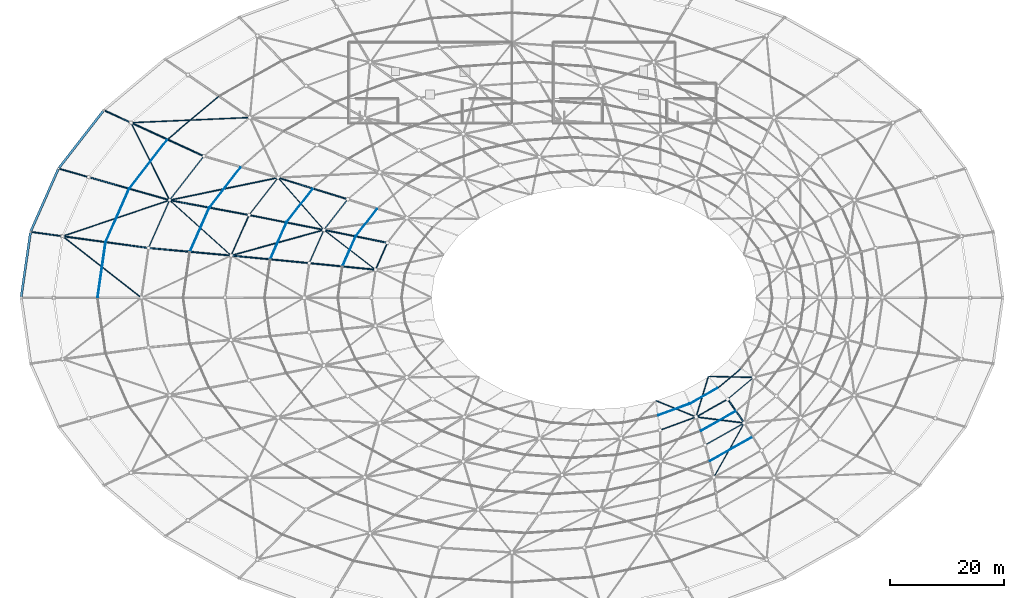
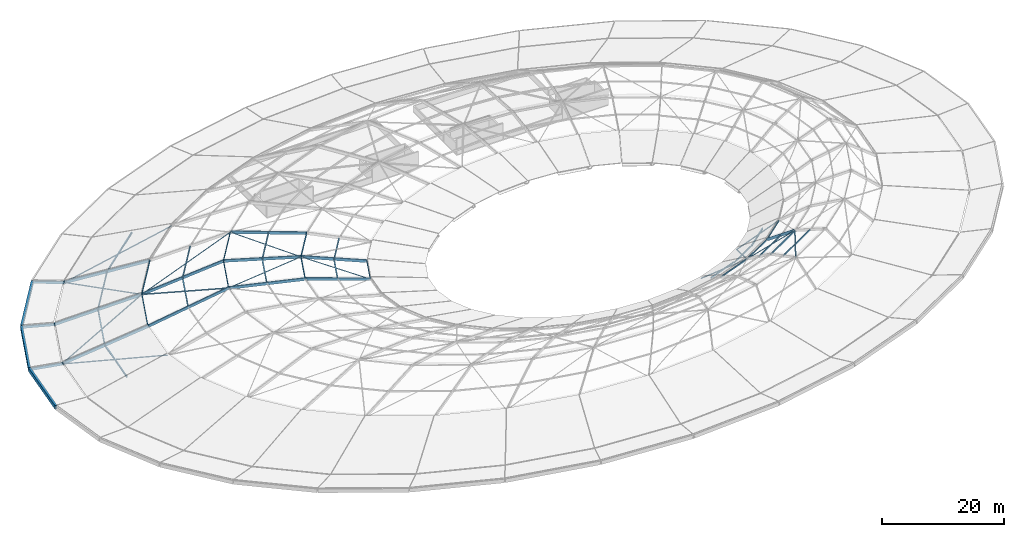
# One storey, part 5 of 30: 54 members, 3 beams.
"""IFC4 building model written with IfcOpenShell, lengths in metres."""

from ifc_helpers import new_model, si_unit, direction, frame, origin, origin_2d, place, context, subcontext, project, spatial, rectangle, hollow_rectangle, hollow_circle, extrude, material, material_profile, profile_set, type_object, element, save


model = new_model("IFC4")

# Units and contexts
model_context = context("Model", 3, precision=1e-05, world=origin(), true_north=direction((0.0, 1.0)))
body_context = subcontext(model_context, "Body", "Model", "MODEL_VIEW")
ifc_project = project(units=[si_unit("LENGTHUNIT", "METRE"), si_unit("AREAUNIT", "SQUARE_METRE"), si_unit("VOLUMEUNIT", "CUBIC_METRE"), si_unit("PLANEANGLEUNIT", "RADIAN"), si_unit("MASSUNIT", "GRAM", prefix="KILO")], contexts=[model_context])

# Site, building, storey
site_placement = place(None, origin())
site = spatial("IfcSite", under=ifc_project, at=site_placement, CompositionType="ELEMENT")
building_placement = place(site_placement, origin())
building = spatial("IfcBuilding", under=site, at=building_placement, Name="Namkhue Oval Health Centre", CompositionType="ELEMENT")
storey_placement = place(building_placement, frame((0.0, 0.0, 26.39990234375)))
storey = spatial("IfcBuildingStorey", under=building, at=storey_placement, Name="RF", CompositionType="ELEMENT", Elevation=26.39990234375)

# Beams
ifc_material_1 = material(Name="Precast architectural concrete C35/45 (TCVN B40)", Category="concrete")
ifc_material_profile_1 = material_profile(ifc_material_1, rectangle(XDim=0.39990234375, YDim=0.75, at=origin_2d()), Name="RC 400x750")
ifc_profile_set_1 = profile_set([ifc_material_profile_1], Name="Precast architectural concrete C35/45 (TCVN B40)")
beam_type = type_object("IfcBeamType", Name="CONCRETE EDGE BAND 400X750", PredefinedType="SPANDREL", material=ifc_profile_set_1)
beam_1_placement = place(storey_placement, frame((14.53662109375, 92.369384765625, 0.7001953125), z_axis=(-0.613799406543, -0.789462024753, 0.0), x_axis=(0.789462024753, -0.613799406543, 0.0)))
element("IfcBeam", 1, at=beam_1_placement, inside=storey, type_object=beam_type, Name="Elliptical Roof Concrete Fascia Band 14", PredefinedType="SPANDREL", context=body_context, shape_type="SweptSolid", body=[
    extrude(rectangle(XDim=0.39990234375, YDim=0.75, at=origin_2d()), origin(), (0.0, 0.0, 1.0), 12.92822265625),
])
beam_2_placement = place(storey_placement, frame((6.560791015625, 82.0947265625, 0.7001953125), z_axis=(-0.403693857048, -0.914894130368, 0.0), x_axis=(0.914894130368, -0.403693857048, 0.0)))
element("IfcBeam", 2, at=beam_2_placement, inside=storey, type_object=beam_type, Name="Elliptical Roof Concrete Fascia Band 15", PredefinedType="SPANDREL", context=body_context, shape_type="SweptSolid", body=[
    extrude(rectangle(XDim=0.39990234375, YDim=0.75, at=origin_2d()), origin(), (0.0, 0.0, 1.0), 12.099609375),
])
beam_3_placement = place(storey_placement, frame((1.654541015625, 70.94873046875, 0.7001953125), z_axis=(-0.141824096409, -0.989891875751, 0.0), x_axis=(0.989891875751, -0.141824096409, 0.0)))
element("IfcBeam", 3, at=beam_3_placement, inside=storey, type_object=beam_type, Name="Elliptical Roof Concrete Fascia Band 16", PredefinedType="SPANDREL", context=body_context, shape_type="SweptSolid", body=[
    extrude(rectangle(XDim=0.39990234375, YDim=0.75, at=origin_2d()), origin(), (0.0, 0.0, 1.0), 11.62646484375),
])

# Members
ifc_material_2 = material(Name="Structural steel EN 10025-2 S355JR (TCVN 5575:2024)", Category="steel")
ifc_material_profile_2 = material_profile(ifc_material_2, hollow_circle(Radius=0.084228515625, WallThickness=0.008056640625, at=origin_2d()), Name="CHS 168.3x8")
ifc_profile_set_2 = profile_set([ifc_material_profile_2], Name="Structural steel EN 10025-2 S355JR (TCVN 5575:2024)")
member_type_1 = type_object("IfcMemberType", Name="DIAGONAL BRACE CHS 168", PredefinedType="BRACE", material=ifc_profile_set_2)
member_1_placement = place(storey_placement, frame((26.162353515625, 76.568115234375, 3.785400390625), z_axis=(0.964612423458, 0.200027706406, 0.171789956575), x_axis=(-0.203046273426, 0.979169143125, 0.0)))
element("IfcMember", 4, at=member_1_placement, inside=storey, type_object=member_type_1, Name="Gridshell Diagonal Brace K2-14", PredefinedType="BRACE", context=body_context, shape_type="SweptSolid", body=[
    extrude(hollow_circle(Radius=0.084228515625, WallThickness=0.008056640625, at=origin_2d()), origin(), (0.0, 0.0, 1.0), 19.72998046875),
])
member_2_placement = place(storey_placement, frame((26.1552734375, 76.542724609375, 3.786865234375), z_axis=(0.723984856612, -0.651314430221, 0.227234329232), x_axis=(0.668810437782, 0.743432981723, 0.0)))
element("IfcMember", 5, at=member_2_placement, inside=storey, type_object=member_type_1, Name="Gridshell Diagonal Brace K2-15", PredefinedType="BRACE", context=body_context, shape_type="SweptSolid", body=[
    extrude(hollow_circle(Radius=0.084228515625, WallThickness=0.008056640625, at=origin_2d()), origin(), (0.0, 0.0, 1.0), 14.903076171875),
])
member_3_placement = place(storey_placement, frame((45.242431640625, 80.498291015625, 7.1748046875), z_axis=(0.649535980414, -0.739421302444, -0.177085142347), x_axis=(0.751295119387, 0.6599663958, 0.0)))
element("IfcMember", 6, at=member_3_placement, inside=storey, type_object=member_type_1, Name="Gridshell Diagonal Brace K3-14", PredefinedType="BRACE", context=body_context, shape_type="SweptSolid", body=[
    extrude(hollow_circle(Radius=0.084228515625, WallThickness=0.008056640625, at=origin_2d()), origin(), (0.0, 0.0, 1.0), 12.36376953125),
])
member_4_placement = place(storey_placement, frame((36.9951171875, 66.824462890625, 7.17626953125), z_axis=(0.955760701137, 0.264448449947, -0.128796348873), x_axis=(-0.266669523158, 0.963788029298, 0.0)))
element("IfcMember", 7, at=member_4_placement, inside=storey, type_object=member_type_1, Name="Gridshell Diagonal Brace K3-15", PredefinedType="BRACE", context=body_context, shape_type="SweptSolid", body=[
    extrude(hollow_circle(Radius=0.084228515625, WallThickness=0.008056640625, at=origin_2d()), origin(), (0.0, 0.0, 1.0), 17.02197265625),
])
member_5_placement = place(storey_placement, frame((121.935302734375, 27.81640625, 7.17431640625), z_axis=(0.479099455616, 0.855393525982, -0.196889886322), x_axis=(-0.872471627702, 0.488664771448, 0.0)))
element("IfcMember", 8, at=member_5_placement, inside=storey, type_object=member_type_1, Name="Gridshell Diagonal Brace K3-28", PredefinedType="BRACE", context=body_context, shape_type="SweptSolid", body=[
    extrude(hollow_circle(Radius=0.084228515625, WallThickness=0.008056640625, at=origin_2d()), origin(), (0.0, 0.0, 1.0), 11.114013671875),
])
member_6_placement = place(storey_placement, frame((53.315673828125, 71.31640625, 4.9716796875), z_axis=(0.759403511791, -0.585378236617, -0.283969410985), x_axis=(0.610510932695, 0.792007828913, 0.0)))
element("IfcMember", 9, at=member_6_placement, inside=storey, type_object=member_type_1, Name="Gridshell Diagonal Brace K4-15", PredefinedType="BRACE", context=body_context, shape_type="SweptSolid", body=[
    extrude(hollow_circle(Radius=0.084228515625, WallThickness=0.008056640625, at=origin_2d()), origin(), (0.0, 0.0, 1.0), 11.91357421875),
])
member_7_placement = place(storey_placement, frame((127.24658203125, 37.352294921875, 4.968994140625), z_axis=(-0.921885222036, 0.115389380497, -0.36988231677), x_axis=(-0.124197649917, -0.992257498714, 0.0)))
element("IfcMember", 10, at=member_7_placement, inside=storey, type_object=member_type_1, Name="Gridshell Diagonal Brace K4-28", PredefinedType="BRACE", context=body_context, shape_type="SweptSolid", body=[
    extrude(hollow_circle(Radius=0.084228515625, WallThickness=0.008056640625, at=origin_2d()), origin(), (0.0, 0.0, 1.0), 9.1318359375),
])
ifc_material_profile_3 = material_profile(ifc_material_2, hollow_circle(Radius=0.109619140625, WallThickness=0.010009765625, at=origin_2d()), Name="CHS 219.1x10")
ifc_profile_set_3 = profile_set([ifc_material_profile_3], Name="Structural steel EN 10025-2 S355JR (TCVN 5575:2024)")
member_type_2 = type_object("IfcMemberType", Name="DIAGONAL BRACE CHS 219", PredefinedType="BRACE", material=ifc_profile_set_3)
member_8_placement = place(storey_placement, frame((19.3798828125, 90.2021484375, 0.284912109375), z_axis=(0.985387796484, 0.042892577935, 0.164836638216), x_axis=(-0.043487447856, 0.999053973456, 0.0)))
element("IfcMember", 11, at=member_8_placement, inside=storey, type_object=member_type_2, Name="Gridshell Diagonal Brace K1-13", PredefinedType="BRACE", context=body_context, shape_type="SweptSolid", body=[
    extrude(hollow_circle(Radius=0.109619140625, WallThickness=0.010009765625, at=origin_2d()), origin(), (0.0, 0.0, 1.0), 21.173828125),
])
member_9_placement = place(storey_placement, frame((19.36328125, 90.174560546875, 0.286865234375), z_axis=(0.434016963234, -0.872628440892, 0.223939455594), x_axis=(0.895368051566, 0.445326904908, 0.0)))
element("IfcMember", 12, at=member_9_placement, inside=storey, type_object=member_type_2, Name="Gridshell Diagonal Brace K1-14", PredefinedType="BRACE", context=body_context, shape_type="SweptSolid", body=[
    extrude(hollow_circle(Radius=0.109619140625, WallThickness=0.010009765625, at=origin_2d()), origin(), (0.0, 0.0, 1.0), 15.5693359375),
])
member_10_placement = place(storey_placement, frame((7.33740234375, 70.22509765625, 0.285400390625), z_axis=(0.933219767394, 0.31463420573, 0.17351133199), x_axis=(-0.319480120843, 0.947592978227, 0.0)))
element("IfcMember", 13, at=member_10_placement, inside=storey, type_object=member_type_2, Name="Gridshell Diagonal Brace K1-15", PredefinedType="BRACE", context=body_context, shape_type="SweptSolid", body=[
    extrude(hollow_circle(Radius=0.109619140625, WallThickness=0.010009765625, at=origin_2d()), origin(), (0.0, 0.0, 1.0), 20.111083984375),
])
member_11_placement = place(storey_placement, frame((7.332763671875, 70.19775390625, 0.285888671875), z_axis=(0.773156638641, -0.603407661928, 0.195263938433), x_axis=(0.615250790527, 0.788331443465, 0.0)))
element("IfcMember", 14, at=member_11_placement, inside=storey, type_object=member_type_2, Name="Gridshell Diagonal Brace K1-16", PredefinedType="BRACE", context=body_context, shape_type="SweptSolid", body=[
    extrude(hollow_circle(Radius=0.109619140625, WallThickness=0.010009765625, at=origin_2d()), origin(), (0.0, 0.0, 1.0), 17.864501953125),
])
member_12_placement = place(storey_placement, frame((118.77490234375, 38.419921875, 1.568603515625), z_axis=(-0.854708255905, 0.347303056392, -0.385816516376), x_axis=(-0.376449454427, -0.926437158291, 0.0)))
element("IfcMember", 15, at=member_12_placement, inside=storey, type_object=member_type_2, Name="Gridshell Diagonal Brace K5-27", PredefinedType="BRACE", context=body_context, shape_type="SweptSolid", body=[
    extrude(hollow_circle(Radius=0.109619140625, WallThickness=0.010009765625, at=origin_2d()), origin(), (0.0, 0.0, 1.0), 8.234375),
])
member_13_placement = place(storey_placement, frame((118.80859375, 38.435791015625, 1.568359375), z_axis=(0.266429177507, 0.879340657814, -0.394684051981), x_axis=(-0.957035788143, 0.289969826385, 0.0)))
element("IfcMember", 16, at=member_13_placement, inside=storey, type_object=member_type_2, Name="Gridshell Diagonal Brace K5-28", PredefinedType="BRACE", context=body_context, shape_type="SweptSolid", body=[
    extrude(hollow_circle(Radius=0.109619140625, WallThickness=0.010009765625, at=origin_2d()), origin(), (0.0, 0.0, 1.0), 8.04833984375),
])
member_14_placement = place(storey_placement, frame((128.90380859375, 45.375244140625, 1.56884765625), z_axis=(-0.927837446062, 0.0191755171, -0.372491574709), x_axis=(-0.020662480658, -0.999786508157, 0.0)))
element("IfcMember", 17, at=member_14_placement, inside=storey, type_object=member_type_2, Name="Gridshell Diagonal Brace K5-29", PredefinedType="BRACE", context=body_context, shape_type="SweptSolid", body=[
    extrude(hollow_circle(Radius=0.109619140625, WallThickness=0.010009765625, at=origin_2d()), origin(), (0.0, 0.0, 1.0), 8.5302734375),
])
ifc_material_3 = material(Name="Glulam timber GL28h", Category="wood")
ifc_material_profile_4 = material_profile(ifc_material_3, rectangle(XDim=0.199951171875, YDim=0.47998046875, at=origin_2d()), Name="GL28h 200x480")
ifc_profile_set_4 = profile_set([ifc_material_profile_4], Name="Glulam timber GL28h")
member_type_3 = type_object("IfcMemberType", Name="GRIDSHELL ARCH RIB GL28H 200X480", PredefinedType="USERDEFINED", material=ifc_profile_set_4)
member_15_placement = place(storey_placement, frame((127.2744140625, 37.348876953125, 5.0), z_axis=(-0.474060569261, 0.684378453769, -0.553978978562), x_axis=(-0.822045950812, -0.569421157628, 0.0)))
element("IfcMember", 18, at=member_15_placement, inside=storey, type_object=member_type_3, Name="Gridshell Glulam Arch Rib K4-29", ObjectType="ARCH_SEGMENT", PredefinedType="USERDEFINED", context=body_context, shape_type="SweptSolid", body=[
    extrude(rectangle(XDim=0.199951171875, YDim=0.47998046875, at=origin_2d()), origin(), (0.0, 0.0, 1.0), 6.13720703125),
])
ifc_material_profile_5 = material_profile(ifc_material_3, rectangle(XDim=0.219970703125, YDim=0.52001953125, at=origin_2d()), Name="GL28h 220x520")
ifc_profile_set_5 = profile_set([ifc_material_profile_5], Name="Glulam timber GL28h")
member_type_4 = type_object("IfcMemberType", Name="GRIDSHELL ARCH RIB GL28H 220X520", PredefinedType="USERDEFINED", material=ifc_profile_set_5)
member_16_placement = place(storey_placement, frame((19.350341796875, 90.200927734375, 0.300048828125), z_axis=(0.881933301609, -0.405143099926, 0.240941320855), x_axis=(0.41744104465, 0.908704008048, 0.0)))
element("IfcMember", 19, at=member_16_placement, inside=storey, type_object=member_type_4, Name="Gridshell Glulam Arch Rib K1-14", ObjectType="ARCH_SEGMENT", PredefinedType="USERDEFINED", context=body_context, shape_type="SweptSolid", body=[
    extrude(rectangle(XDim=0.219970703125, YDim=0.52001953125, at=origin_2d()), origin(), (0.0, 0.0, 1.0), 14.5263671875),
])
member_17_placement = place(storey_placement, frame((45.22314453125, 80.5205078125, 7.2001953125), z_axis=(0.941554073722, -0.291429386457, -0.168952179527), x_axis=(0.295680008512, 0.955287041975, 0.0)))
element("IfcMember", 20, at=member_17_placement, inside=storey, type_object=member_type_4, Name="Gridshell Glulam Arch Rib K3-14", ObjectType="ARCH_SEGMENT", PredefinedType="USERDEFINED", context=body_context, shape_type="SweptSolid", body=[
    extrude(rectangle(XDim=0.219970703125, YDim=0.52001953125, at=origin_2d()), origin(), (0.0, 0.0, 1.0), 13.022705078125),
])
member_18_placement = place(storey_placement, frame((11.8984375, 80.615966796875, 0.300048828125), z_axis=(0.935951519575, -0.26652955959, 0.230123329697), x_axis=(0.273880097908, 0.961763844179, 0.0)))
element("IfcMember", 21, at=member_18_placement, inside=storey, type_object=member_type_4, Name="Gridshell Glulam Arch Rib K1-15", ObjectType="ARCH_SEGMENT", PredefinedType="USERDEFINED", context=body_context, shape_type="SweptSolid", body=[
    extrude(rectangle(XDim=0.219970703125, YDim=0.52001953125, at=origin_2d()), origin(), (0.0, 0.0, 1.0), 15.209228515625),
])
member_19_placement = place(storey_placement, frame((26.133544921875, 76.562255859375, 3.800048828125), z_axis=(0.956017115046, -0.178781545021, 0.232526202607), x_axis=(0.183820027694, 0.982959916486, 0.0)))
element("IfcMember", 22, at=member_19_placement, inside=storey, type_object=member_type_4, Name="Gridshell Glulam Arch Rib K2-15", ObjectType="ARCH_SEGMENT", PredefinedType="USERDEFINED", context=body_context, shape_type="SweptSolid", body=[
    extrude(rectangle(XDim=0.219970703125, YDim=0.52001953125, at=origin_2d()), origin(), (0.0, 0.0, 1.0), 14.62255859375),
])
member_20_placement = place(storey_placement, frame((40.113037109375, 73.947998046875, 7.2001953125), z_axis=(0.968001236231, -0.191990019938, -0.161596531211), x_axis=(0.194546968222, 0.980893203746, 0.0)))
element("IfcMember", 23, at=member_20_placement, inside=storey, type_object=member_type_4, Name="Gridshell Glulam Arch Rib K3-15", ObjectType="ARCH_SEGMENT", PredefinedType="USERDEFINED", context=body_context, shape_type="SweptSolid", body=[
    extrude(rectangle(XDim=0.219970703125, YDim=0.52001953125, at=origin_2d()), origin(), (0.0, 0.0, 1.0), 13.615478515625),
])
member_21_placement = place(storey_placement, frame((53.292724609375, 71.333984375, 5.0), z_axis=(0.939157476467, -0.190915338807, -0.285542584924), x_axis=(0.199209210695, 0.979956983941, 0.0)))
element("IfcMember", 24, at=member_21_placement, inside=storey, type_object=member_type_4, Name="Gridshell Glulam Arch Rib K4-15", ObjectType="ARCH_SEGMENT", PredefinedType="USERDEFINED", context=body_context, shape_type="SweptSolid", body=[
    extrude(rectangle(XDim=0.219970703125, YDim=0.52001953125, at=origin_2d()), origin(), (0.0, 0.0, 1.0), 11.90673828125),
])
member_22_placement = place(storey_placement, frame((7.3095703125, 70.2158203125, 0.300048828125), z_axis=(0.965679210816, -0.132063629189, 0.223657907626), x_axis=(0.135496054862, 0.990777885864, 0.0)))
element("IfcMember", 25, at=member_22_placement, inside=storey, type_object=member_type_4, Name="Gridshell Glulam Arch Rib K1-16", ObjectType="ARCH_SEGMENT", PredefinedType="USERDEFINED", context=body_context, shape_type="SweptSolid", body=[
    extrude(rectangle(XDim=0.219970703125, YDim=0.52001953125, at=origin_2d()), origin(), (0.0, 0.0, 1.0), 15.64892578125),
])
member_23_placement = place(storey_placement, frame((22.42138671875, 68.149169921875, 3.800048828125), z_axis=(0.969896613358, -0.088854687475, 0.226727598473), x_axis=(0.09123049275, 0.995829803326, 0.0)))
element("IfcMember", 26, at=member_23_placement, inside=storey, type_object=member_type_4, Name="Gridshell Glulam Arch Rib K2-16", ObjectType="ARCH_SEGMENT", PredefinedType="USERDEFINED", context=body_context, shape_type="SweptSolid", body=[
    extrude(rectangle(XDim=0.219970703125, YDim=0.52001953125, at=origin_2d()), origin(), (0.0, 0.0, 1.0), 14.99658203125),
])
member_24_placement = place(storey_placement, frame((36.966552734375, 66.816650390625, 7.2001953125), z_axis=(0.98293473803, -0.095308005949, -0.15733939359), x_axis=(0.096510078646, 0.995332007282, 0.0)))
element("IfcMember", 27, at=member_24_placement, inside=storey, type_object=member_type_4, Name="Gridshell Glulam Arch Rib K3-16", ObjectType="ARCH_SEGMENT", PredefinedType="USERDEFINED", context=body_context, shape_type="SweptSolid", body=[
    extrude(rectangle(XDim=0.219970703125, YDim=0.52001953125, at=origin_2d()), origin(), (0.0, 0.0, 1.0), 13.983642578125),
])
member_25_placement = place(storey_placement, frame((50.711669921875, 65.48388671875, 5.0), z_axis=(0.955777780306, -0.094886170385, -0.278362083163), x_axis=(0.098790755421, 0.995108228608, 0.0)))
element("IfcMember", 28, at=member_25_placement, inside=storey, type_object=member_type_4, Name="Gridshell Glulam Arch Rib K4-16", ObjectType="ARCH_SEGMENT", PredefinedType="USERDEFINED", context=body_context, shape_type="SweptSolid", body=[
    extrude(rectangle(XDim=0.219970703125, YDim=0.52001953125, at=origin_2d()), origin(), (0.0, 0.0, 1.0), 12.2138671875),
])
ifc_material_profile_6 = material_profile(ifc_material_3, rectangle(XDim=0.199951171875, YDim=0.47998046875, at=origin_2d()), Name="GL28h 200x480")
ifc_profile_set_6 = profile_set([ifc_material_profile_6], Name="Glulam timber GL28h")
member_type_5 = type_object("IfcMemberType", Name="GRIDSHELL CANTILEVER RIB GL28H 200X480", PredefinedType="USERDEFINED", material=ifc_profile_set_6)
member_26_placement = place(storey_placement, frame((14.56103515625, 92.40087890625, 0.7001953125), z_axis=(0.906107986713, -0.4162175189, -0.075705306123), x_axis=(0.417415402789, 0.908715786984, 0.0)))
element("IfcMember", 29, at=member_26_placement, inside=storey, type_object=member_type_5, Name="Gridshell Glulam Arch Rib K0-14", ObjectType="ARCH_SEGMENT", PredefinedType="USERDEFINED", context=body_context, shape_type="SweptSolid", body=[
    extrude(rectangle(XDim=0.199951171875, YDim=0.47998046875, at=origin_2d()), origin(), (0.0, 0.0, 1.0), 5.28564453125),
])
member_27_placement = place(storey_placement, frame((6.576904296875, 82.13134765625, 0.7001953125), z_axis=(0.959259810829, -0.273162620811, -0.072130422992), x_axis=(0.273876010696, 0.961765008079, 0.0)))
element("IfcMember", 30, at=member_27_placement, inside=storey, type_object=member_type_5, Name="Gridshell Glulam Arch Rib K0-15", ObjectType="ARCH_SEGMENT", PredefinedType="USERDEFINED", context=body_context, shape_type="SweptSolid", body=[
    extrude(rectangle(XDim=0.199951171875, YDim=0.47998046875, at=origin_2d()), origin(), (0.0, 0.0, 1.0), 5.547607421875),
])
member_28_placement = place(storey_placement, frame((1.66015625, 70.98828125, 0.7001953125), z_axis=(0.988350405727, -0.135140046833, -0.070004594425), x_axis=(0.13547240549, 0.990781119799, 0.0)))
element("IfcMember", 31, at=member_28_placement, inside=storey, type_object=member_type_5, Name="Gridshell Glulam Arch Rib K0-16", ObjectType="ARCH_SEGMENT", PredefinedType="USERDEFINED", context=body_context, shape_type="SweptSolid", body=[
    extrude(rectangle(XDim=0.199951171875, YDim=0.47998046875, at=origin_2d()), origin(), (0.0, 0.0, 1.0), 5.716064453125),
])
ifc_material_profile_7 = material_profile(ifc_material_2, hollow_rectangle(XDim=0.14990234375, YDim=0.25, WallThickness=0.008056640625, at=origin_2d()), Name="RHS 150x250x8")
ifc_profile_set_7 = profile_set([ifc_material_profile_7], Name="Structural steel EN 10025-2 S355JR (TCVN 5575:2024)")
member_type_6 = type_object("IfcMemberType", Name="GRIDSHELL HOOP PURLIN RHS 150X250", PredefinedType="PURLIN", material=ifc_profile_set_7)
member_29_placement = place(storey_placement, frame((45.186279296875, 80.47314453125, 7.2001953125), z_axis=(-0.613810828712, -0.78945314399, 0.0), x_axis=(0.78945314399, -0.613810828712, 0.0)))
element("IfcMember", 32, at=member_29_placement, inside=storey, type_object=member_type_6, Name="Gridshell Hoop Purlin K3-14", PredefinedType="PURLIN", context=body_context, shape_type="SweptSolid", body=[
    extrude(hollow_rectangle(XDim=0.14990234375, YDim=0.25, WallThickness=0.008056640625, at=origin_2d()), origin(), (0.0, 0.0, 1.0), 8.205078125),
])
member_30_placement = place(storey_placement, frame((40.0888671875, 73.893310546875, 7.2001953125), z_axis=(-0.403663700855, -0.91490743609, 0.0), x_axis=(0.91490743609, -0.403663700855, 0.0)))
element("IfcMember", 33, at=member_30_placement, inside=storey, type_object=member_type_6, Name="Gridshell Hoop Purlin K3-15", PredefinedType="PURLIN", context=body_context, shape_type="SweptSolid", body=[
    extrude(hollow_rectangle(XDim=0.14990234375, YDim=0.25, WallThickness=0.008056640625, at=origin_2d()), origin(), (0.0, 0.0, 1.0), 7.675048828125),
])
member_31_placement = place(storey_placement, frame((64.450927734375, 69.005859375, 1.60009765625), z_axis=(-0.403663981902, -0.91490731209, 0.0), x_axis=(0.91490731209, -0.403663981902, 0.0)))
element("IfcMember", 34, at=member_31_placement, inside=storey, type_object=member_type_6, Name="Gridshell Hoop Purlin K5-15", PredefinedType="PURLIN", context=body_context, shape_type="SweptSolid", body=[
    extrude(hollow_rectangle(XDim=0.14990234375, YDim=0.25, WallThickness=0.008056640625, at=origin_2d()), origin(), (0.0, 0.0, 1.0), 5.05615234375),
])
member_32_placement = place(storey_placement, frame((112.508544921875, 36.097412109375, 1.555908203125), z_axis=(0.938627028123, 0.344933764769, 0.0), x_axis=(-0.344933764769, 0.938627028123, 0.0)))
element("IfcMember", 35, at=member_32_placement, inside=storey, type_object=member_type_6, Name="Gridshell Hoop Purlin K5-27", PredefinedType="PURLIN", context=body_context, shape_type="SweptSolid", body=[
    extrude(hollow_rectangle(XDim=0.14990234375, YDim=0.25, WallThickness=0.008056640625, at=origin_2d()), origin(), (0.0, 0.0, 1.0), 6.643310546875),
])
member_33_placement = place(storey_placement, frame((118.852783203125, 38.43896484375, 1.55712890625), z_axis=(0.870938297401, 0.491392391191, 0.0), x_axis=(-0.491392391191, 0.870938297401, 0.0)))
element("IfcMember", 36, at=member_33_placement, inside=storey, type_object=member_type_6, Name="Gridshell Hoop Purlin K5-28", PredefinedType="PURLIN", context=body_context, shape_type="SweptSolid", body=[
    extrude(hollow_rectangle(XDim=0.14990234375, YDim=0.25, WallThickness=0.008056640625, at=origin_2d()), origin(), (0.0, 0.0, 1.0), 6.26904296875),
])
member_34_placement = place(storey_placement, frame((124.410888671875, 41.587646484375, 1.55859375), z_axis=(0.766559432201, 0.642173369818, 0.0), x_axis=(-0.642173369818, 0.766559432201, 0.0)))
element("IfcMember", 37, at=member_34_placement, inside=storey, type_object=member_type_6, Name="Gridshell Hoop Purlin K5-29", PredefinedType="PURLIN", context=body_context, shape_type="SweptSolid", body=[
    extrude(hollow_rectangle(XDim=0.14990234375, YDim=0.25, WallThickness=0.008056640625, at=origin_2d()), origin(), (0.0, 0.0, 1.0), 5.837158203125),
])
ifc_material_profile_8 = material_profile(ifc_material_2, hollow_rectangle(XDim=0.179931640625, YDim=0.300048828125, WallThickness=0.010009765625, at=origin_2d()), Name="RHS 180x300x10")
ifc_profile_set_8 = profile_set([ifc_material_profile_8], Name="Structural steel EN 10025-2 S355JR (TCVN 5575:2024)")
member_type_7 = type_object("IfcMemberType", Name="GRIDSHELL HOOP PURLIN RHS 180X300", PredefinedType="PURLIN", material=ifc_profile_set_8)
member_35_placement = place(storey_placement, frame((32.124755859375, 84.268310546875, 3.78955078125), z_axis=(-0.613785537369, -0.789472807712, 0.0), x_axis=(0.789472807712, -0.613785537369, 0.0)))
element("IfcMember", 38, at=member_35_placement, inside=storey, type_object=member_type_7, Name="Gridshell Hoop Purlin K2-14", PredefinedType="PURLIN", context=body_context, shape_type="SweptSolid", body=[
    extrude(hollow_rectangle(XDim=0.179931640625, YDim=0.300048828125, WallThickness=0.010009765625, at=origin_2d()), origin(), (0.0, 0.0, 1.0), 9.700927734375),
])
member_36_placement = place(storey_placement, frame((26.109375, 76.50732421875, 3.792724609375), z_axis=(-0.403698487315, -0.914892087265, 0.0), x_axis=(0.914892087265, -0.403698487315, 0.0)))
element("IfcMember", 39, at=member_36_placement, inside=storey, type_object=member_type_7, Name="Gridshell Hoop Purlin K2-15", PredefinedType="PURLIN", context=body_context, shape_type="SweptSolid", body=[
    extrude(hollow_rectangle(XDim=0.179931640625, YDim=0.300048828125, WallThickness=0.010009765625, at=origin_2d()), origin(), (0.0, 0.0, 1.0), 9.07568359375),
])
member_37_placement = place(storey_placement, frame((57.44775390625, 76.677978515625, 4.978759765625), z_axis=(-0.613807085652, -0.789456054257, 0.0), x_axis=(0.789456054257, -0.613807085652, 0.0)))
element("IfcMember", 40, at=member_37_placement, inside=storey, type_object=member_type_7, Name="Gridshell Hoop Purlin K4-14", PredefinedType="PURLIN", context=body_context, shape_type="SweptSolid", body=[
    extrude(hollow_rectangle(XDim=0.179931640625, YDim=0.300048828125, WallThickness=0.010009765625, at=origin_2d()), origin(), (0.0, 0.0, 1.0), 6.709228515625),
])
member_38_placement = place(storey_placement, frame((53.2685546875, 71.279052734375, 4.9755859375), z_axis=(-0.403674694687, -0.914902585453, 0.0), x_axis=(0.914902585453, -0.403674694687, 0.0)))
element("IfcMember", 41, at=member_38_placement, inside=storey, type_object=member_type_7, Name="Gridshell Hoop Purlin K4-15", PredefinedType="PURLIN", context=body_context, shape_type="SweptSolid", body=[
    extrude(hollow_rectangle(XDim=0.179931640625, YDim=0.300048828125, WallThickness=0.010009765625, at=origin_2d()), origin(), (0.0, 0.0, 1.0), 6.274169921875),
])
member_39_placement = place(storey_placement, frame((120.452880859375, 33.5, 4.91259765625), z_axis=(0.870936415938, 0.49139572586, 0.0), x_axis=(-0.49139572586, 0.870936415938, 0.0)))
element("IfcMember", 42, at=member_39_placement, inside=storey, type_object=member_type_7, Name="Gridshell Hoop Purlin K4-28", PredefinedType="PURLIN", context=body_context, shape_type="SweptSolid", body=[
    extrude(hollow_rectangle(XDim=0.179931640625, YDim=0.300048828125, WallThickness=0.010009765625, at=origin_2d()), origin(), (0.0, 0.0, 1.0), 7.7724609375),
])
ifc_material_profile_9 = material_profile(ifc_material_3, rectangle(XDim=0.139892578125, YDim=0.280029296875, at=origin_2d()), Name="GL28h 140x280")
ifc_profile_set_9 = profile_set([ifc_material_profile_9], Name="Glulam timber GL28h")
member_type_8 = type_object("IfcMemberType", Name="GRIDSHELL SUB PURLIN GL28H 140X280", PredefinedType="PURLIN", material=ifc_profile_set_9)
member_40_placement = place(storey_placement, frame((34.76513671875, 94.805419921875, 2.050048828125), z_axis=(-0.766559160307, -0.642173694377, 0.0), x_axis=(0.642173694377, -0.766559160307, 0.0)))
element("IfcMember", 43, at=member_40_placement, inside=storey, type_object=member_type_8, Name="Gridshell Secondary Purlin K1-13", PredefinedType="PURLIN", context=body_context, shape_type="SweptSolid", body=[
    extrude(rectangle(XDim=0.139892578125, YDim=0.280029296875, at=origin_2d()), origin(), (0.0, 0.0, 1.0), 11.672607421875),
])
member_41_placement = place(storey_placement, frame((25.706787109375, 87.195068359375, 2.050048828125), z_axis=(-0.613785968594, -0.789472472451, 0.0), x_axis=(0.789472472451, -0.613785968594, 0.0)))
element("IfcMember", 44, at=member_41_placement, inside=storey, type_object=member_type_8, Name="Gridshell Secondary Purlin K1-14", PredefinedType="PURLIN", context=body_context, shape_type="SweptSolid", body=[
    extrude(rectangle(XDim=0.139892578125, YDim=0.280029296875, at=origin_2d()), origin(), (0.0, 0.0, 1.0), 10.821044921875),
])
member_42_placement = place(storey_placement, frame((18.983642578125, 78.515869140625, 2.050048828125), z_axis=(-0.40368415086, -0.914898413128, 0.0), x_axis=(0.914898413128, -0.40368415086, 0.0)))
element("IfcMember", 45, at=member_42_placement, inside=storey, type_object=member_type_8, Name="Gridshell Secondary Purlin K1-15", PredefinedType="PURLIN", context=body_context, shape_type="SweptSolid", body=[
    extrude(rectangle(XDim=0.139892578125, YDim=0.280029296875, at=origin_2d()), origin(), (0.0, 0.0, 1.0), 10.12158203125),
])
member_43_placement = place(storey_placement, frame((14.85400390625, 69.103271484375, 2.050048828125), z_axis=(-0.141804546879, -0.98989467646, 0.0), x_axis=(0.98989467646, -0.141804546879, 0.0)))
element("IfcMember", 46, at=member_43_placement, inside=storey, type_object=member_type_8, Name="Gridshell Secondary Purlin K1-16", PredefinedType="PURLIN", context=body_context, shape_type="SweptSolid", body=[
    extrude(rectangle(XDim=0.139892578125, YDim=0.280029296875, at=origin_2d()), origin(), (0.0, 0.0, 1.0), 9.72216796875),
])
member_44_placement = place(storey_placement, frame((38.643310546875, 82.35498046875, 5.5), z_axis=(-0.613802174793, -0.789459872457, 0.0), x_axis=(0.789459872457, -0.613802174793, 0.0)))
element("IfcMember", 47, at=member_44_placement, inside=storey, type_object=member_type_8, Name="Gridshell Secondary Purlin K2-14", PredefinedType="PURLIN", context=body_context, shape_type="SweptSolid", body=[
    extrude(rectangle(XDim=0.139892578125, YDim=0.280029296875, at=origin_2d()), origin(), (0.0, 0.0, 1.0), 8.913330078125),
])
member_45_placement = place(storey_placement, frame((33.091064453125, 75.181884765625, 5.5), z_axis=(-0.403685637554, -0.914897757147, 0.0), x_axis=(0.914897757147, -0.403685637554, 0.0)))
element("IfcMember", 48, at=member_45_placement, inside=storey, type_object=member_type_8, Name="Gridshell Secondary Purlin K2-15", PredefinedType="PURLIN", context=body_context, shape_type="SweptSolid", body=[
    extrude(rectangle(XDim=0.139892578125, YDim=0.280029296875, at=origin_2d()), origin(), (0.0, 0.0, 1.0), 8.3349609375),
])
member_46_placement = place(storey_placement, frame((51.3046875, 78.559814453125, 6.029052734375), z_axis=(-0.613776528824, -0.789479811436, 0.0), x_axis=(0.789479811436, -0.613776528824, 0.0)))
element("IfcMember", 49, at=member_46_placement, inside=storey, type_object=member_type_8, Name="Gridshell Secondary Purlin K3-14", PredefinedType="PURLIN", context=body_context, shape_type="SweptSolid", body=[
    extrude(rectangle(XDim=0.139892578125, YDim=0.280029296875, at=origin_2d()), origin(), (0.0, 0.0, 1.0), 7.417236328125),
])
member_47_placement = place(storey_placement, frame((46.670654296875, 72.56787109375, 6.10009765625), z_axis=(-0.403674010348, -0.914902887398, 0.0), x_axis=(0.914902887398, -0.403674010348, 0.0)))
element("IfcMember", 50, at=member_47_placement, inside=storey, type_object=member_type_8, Name="Gridshell Secondary Purlin K3-15", PredefinedType="PURLIN", context=body_context, shape_type="SweptSolid", body=[
    extrude(rectangle(XDim=0.139892578125, YDim=0.280029296875, at=origin_2d()), origin(), (0.0, 0.0, 1.0), 6.9345703125),
])
member_48_placement = place(storey_placement, frame((121.23046875, 30.669921875, 6.083740234375), z_axis=(0.87093390282, 0.491400180014, 0.0), x_axis=(-0.491400180014, 0.87093390282, 0.0)))
element("IfcMember", 51, at=member_48_placement, inside=storey, type_object=member_type_8, Name="Gridshell Secondary Purlin K3-28", PredefinedType="PURLIN", context=body_context, shape_type="SweptSolid", body=[
    extrude(rectangle(XDim=0.139892578125, YDim=0.280029296875, at=origin_2d()), origin(), (0.0, 0.0, 1.0), 8.5966796875),
])
member_49_placement = place(storey_placement, frame((62.62744140625, 75.01220703125, 3.1689453125), z_axis=(-0.613791769424, -0.789467962483, 0.0), x_axis=(0.789467962483, -0.613791769424, 0.0)))
element("IfcMember", 52, at=member_49_placement, inside=storey, type_object=member_type_8, Name="Gridshell Secondary Purlin K4-14", PredefinedType="PURLIN", context=body_context, shape_type="SweptSolid", body=[
    extrude(rectangle(XDim=0.139892578125, YDim=0.280029296875, at=origin_2d()), origin(), (0.0, 0.0, 1.0), 6.018798828125),
])
member_50_placement = place(storey_placement, frame((58.851806640625, 70.124267578125, 3.291015625), z_axis=(-0.403712864469, -0.914885743174, 0.0), x_axis=(0.914885743174, -0.403712864469, 0.0)))
element("IfcMember", 53, at=member_50_placement, inside=storey, type_object=member_type_8, Name="Gridshell Secondary Purlin K4-15", PredefinedType="PURLIN", context=body_context, shape_type="SweptSolid", body=[
    extrude(rectangle(XDim=0.139892578125, YDim=0.280029296875, at=origin_2d()), origin(), (0.0, 0.0, 1.0), 5.625244140625),
])
member_51_placement = place(storey_placement, frame((119.67041015625, 35.9794921875, 3.235595703125), z_axis=(0.870937786057, 0.49139329749, 0.0), x_axis=(-0.49139329749, 0.870937786057, 0.0)))
element("IfcMember", 54, at=member_51_placement, inside=storey, type_object=member_type_8, Name="Gridshell Secondary Purlin K4-28", PredefinedType="PURLIN", context=body_context, shape_type="SweptSolid", body=[
    extrude(rectangle(XDim=0.139892578125, YDim=0.280029296875, at=origin_2d()), origin(), (0.0, 0.0, 1.0), 6.98046875),
])
member_52_placement = place(storey_placement, frame((112.15673828125, 38.7109375, -0.055908203125), z_axis=(0.938638592063, 0.344902295571, 0.0), x_axis=(-0.344902295571, 0.938638592063, 0.0)))
element("IfcMember", 55, at=member_52_placement, inside=storey, type_object=member_type_8, Name="Gridshell Secondary Purlin K5-27", PredefinedType="PURLIN", context=body_context, shape_type="SweptSolid", body=[
    extrude(rectangle(XDim=0.139892578125, YDim=0.280029296875, at=origin_2d()), origin(), (0.0, 0.0, 1.0), 5.84765625),
])
member_53_placement = place(storey_placement, frame((117.790283203125, 40.794921875, -0.20849609375), z_axis=(0.870932802477, 0.491402130204, 0.0), x_axis=(-0.491402130204, 0.870932802477, 0.0)))
element("IfcMember", 56, at=member_53_placement, inside=storey, type_object=member_type_8, Name="Gridshell Secondary Purlin K5-28", PredefinedType="PURLIN", context=body_context, shape_type="SweptSolid", body=[
    extrude(rectangle(XDim=0.139892578125, YDim=0.280029296875, at=origin_2d()), origin(), (0.0, 0.0, 1.0), 5.5146484375),
])
member_54_placement = place(storey_placement, frame((122.724365234375, 43.595703125, -0.21240234375), z_axis=(0.766573018358, 0.642157151736, 0.0), x_axis=(-0.642157151736, 0.766573018358, 0.0)))
element("IfcMember", 57, at=member_54_placement, inside=storey, type_object=member_type_8, Name="Gridshell Secondary Purlin K5-29", PredefinedType="PURLIN", context=body_context, shape_type="SweptSolid", body=[
    extrude(rectangle(XDim=0.139892578125, YDim=0.280029296875, at=origin_2d()), origin(), (0.0, 0.0, 1.0), 5.13134765625),
])

save(model, "model.ifc")
